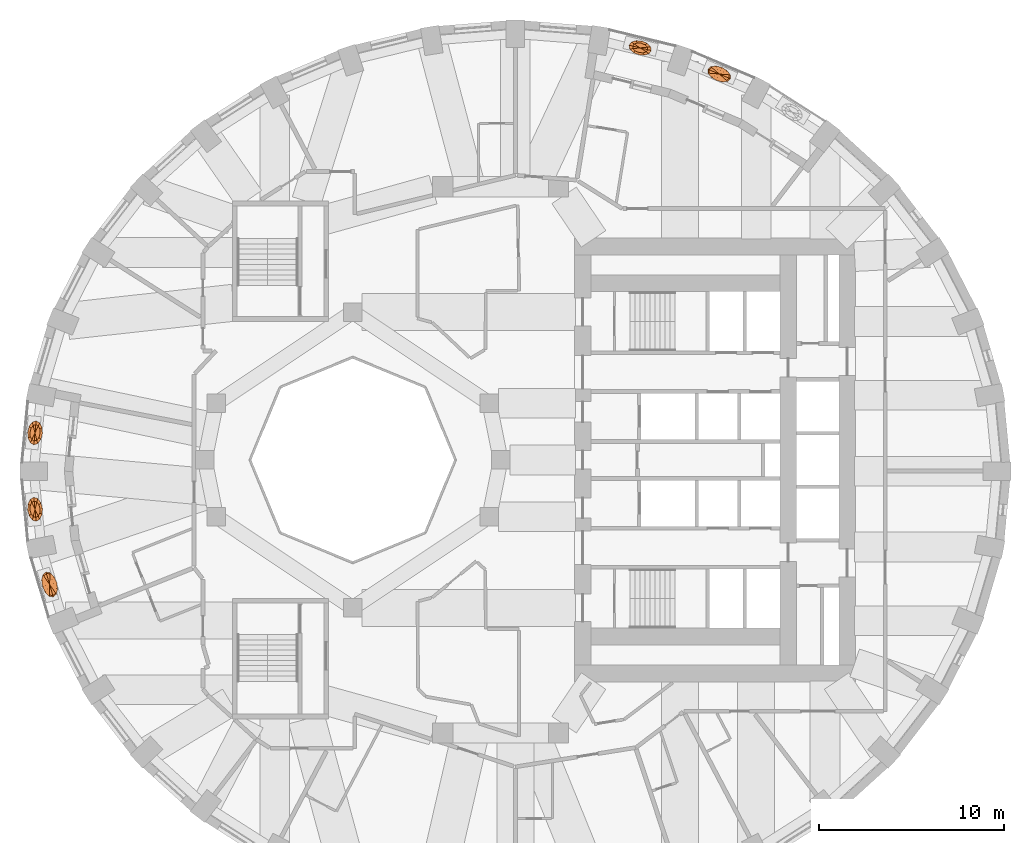
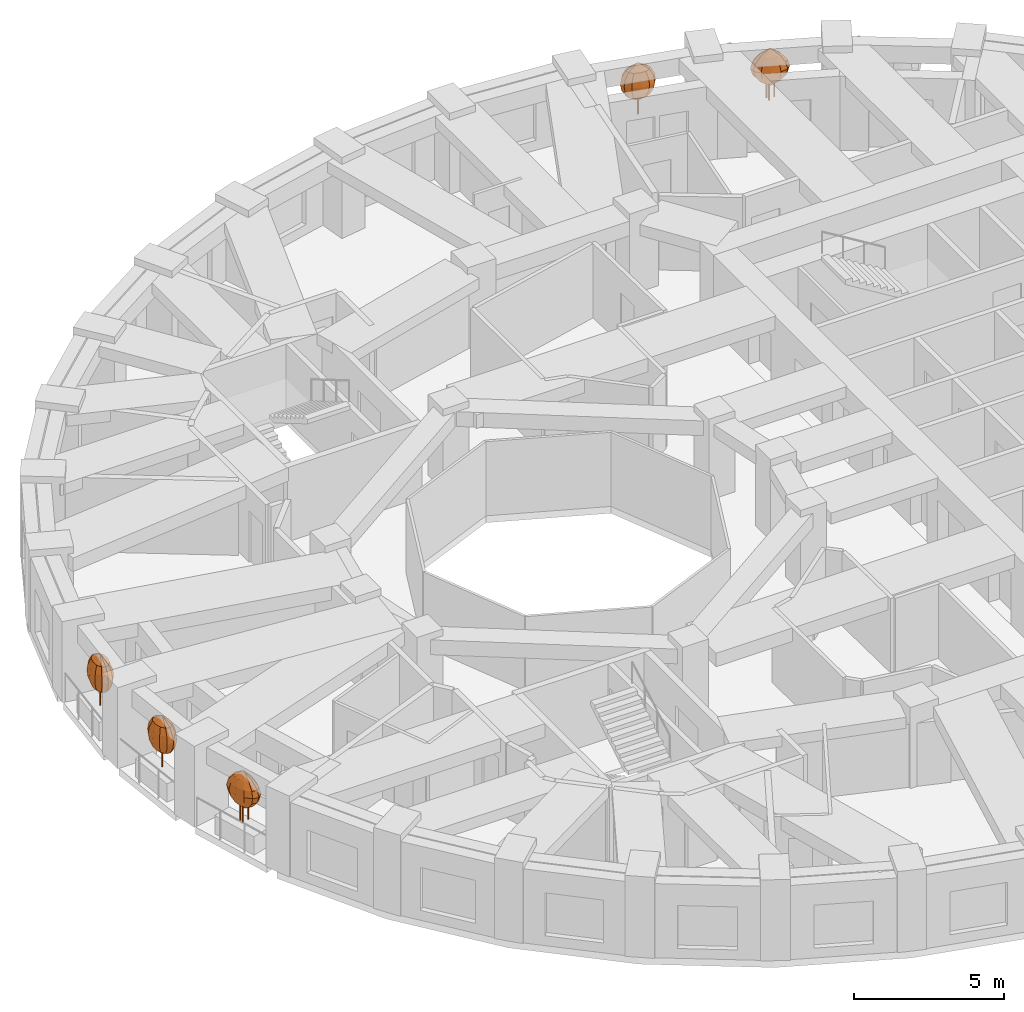
# One storey, part 11 of 12: 5 geographic elements.
"""IFC4 building model written with IfcOpenShell, lengths in metres."""

import ifcopenshell
import ifcopenshell.guid

model = None  # the IFC model being written
_history = None  # IfcOwnerHistory: only IFC2X3 demands one
_inside = {}  # id of a spatial element -> (the spatial element, [elements in it])
_under = {}  # id of a project, library or spatial element -> (it, [spatial elements below it])
_declared = {}  # id of a project -> (the project, [libraries it declares])
_typed = {}  # id of a type object -> (the type object, [elements of that type])
_made_of = {}  # id of a material, layer set ... -> (it, [elements and type objects made of it])


def new_model(schema):
    """Start an empty IFC model of exactly this schema.

    Asked for "IFC4X3", IfcOpenShell would pick the latest addendum, in which some entities
    have other attributes; the version numbers below select the first issue.
    IFC2X3 requires an IfcOwnerHistory on every rooted entity: one is made here for all.
    """
    global model, _history
    if schema == "IFC4X3":
        model = ifcopenshell.file(schema_version=(4, 3, 0, 0))
    else:
        model = ifcopenshell.file(schema=schema)
    _inside.clear()
    _under.clear()
    _declared.clear()
    _typed.clear()
    _made_of.clear()
    _history = None
    if model.schema == "IFC2X3":
        org = make("IfcOrganization", Name="unknown")
        user = make(
            "IfcPersonAndOrganization",
            ThePerson=make("IfcPerson", FamilyName="unknown"),
            TheOrganization=org,
        )
        app = make(
            "IfcApplication",
            ApplicationDeveloper=org,
            Version="unknown",
            ApplicationFullName="unknown",
            ApplicationIdentifier="unknown",
        )
        _history = make(
            "IfcOwnerHistory",
            OwningUser=user,
            OwningApplication=app,
            ChangeAction="ADDED",
            CreationDate=0,
        )
    return model


def make(cls, **values):
    """One entity of the class cls with the attributes given. An attribute that is None is left unset."""
    return model.create_entity(
        cls, **{name: value for name, value in values.items() if value is not None}
    )


def rooted(cls, **values):
    """An entity with a GlobalId (a new one), such as an element, a storey or a relation."""
    return make(cls, GlobalId=ifcopenshell.guid.new(), OwnerHistory=_history, **values)


def si_unit(unit_type, name, prefix=None):
    """IfcSIUnit, for example si_unit("LENGTHUNIT", "METRE", prefix="MILLI")."""
    return make("IfcSIUnit", UnitType=unit_type, Prefix=prefix, Name=name)


def assignment(units):
    """IfcUnitAssignment: the units of a project."""
    return None if units is None else make("IfcUnitAssignment", Units=units)


def point(xyz):
    """IfcCartesianPoint."""
    return None if xyz is None else make("IfcCartesianPoint", Coordinates=xyz)


def direction(xyz):
    """IfcDirection."""
    return None if xyz is None else make("IfcDirection", DirectionRatios=xyz)


def frame(location, z_axis=None, x_axis=None):
    """IfcAxis2Placement3D, a coordinate frame: its origin and axes. An axis left out is left unset."""
    return make(
        "IfcAxis2Placement3D",
        Location=point(location),
        Axis=direction(z_axis),
        RefDirection=direction(x_axis),
    )


def origin():
    """The frame at (0, 0, 0) with its axes left unset."""
    return frame((0.0, 0.0, 0.0))


def place(relative_to, where):
    """IfcLocalPlacement: puts the frame where relative to a parent placement (None: the world)."""
    return make(
        "IfcLocalPlacement", PlacementRelTo=relative_to, RelativePlacement=where
    )


def context(
    kind, dimensions, precision=None, world=None, true_north=None, identifier=None
):
    """IfcGeometricRepresentationContext, for example the 3D "Model" context."""
    return make(
        "IfcGeometricRepresentationContext",
        ContextIdentifier=identifier,
        ContextType=kind,
        CoordinateSpaceDimension=dimensions,
        Precision=precision,
        WorldCoordinateSystem=world,
        TrueNorth=true_north,
    )


def subcontext(parent, identifier, kind, view, scale=None):
    """IfcGeometricRepresentationSubContext, for example "Body" below "Model"."""
    return make(
        "IfcGeometricRepresentationSubContext",
        ContextIdentifier=identifier,
        ContextType=kind,
        ParentContext=parent,
        TargetScale=scale,
        TargetView=view,
    )


def project(units=None, contexts=None):
    """IfcProject with its units and contexts."""
    return rooted(
        "IfcProject",
        Name="project",
        RepresentationContexts=contexts,
        UnitsInContext=assignment(units),
    )


def spatial(cls, under=None, at=None, **own):
    """A site, building, storey or space (cls), placed at a placement, below another one or the project."""
    s = rooted(cls, ObjectPlacement=at, **own)
    if under is not None:
        _under.setdefault(under.id(), (under, []))[1].append(s)
    return s


def faces_of(points, faces, orient=None, outer=None):
    """IfcFace entities. A face is a list of loops; a loop is a list of indices into points, from 0.

    orient and outer hold one flag for each loop. By default every Orientation is true, the
    first loop of a face is its IfcFaceOuterBound and the others are IfcFaceBound.
    """
    made = []
    for i, loops in enumerate(faces):
        bounds = []
        for j, loop in enumerate(loops):
            is_outer = j == 0 if outer is None else outer[i][j]
            bounds.append(
                make(
                    "IfcFaceOuterBound" if is_outer else "IfcFaceBound",
                    Bound=make("IfcPolyLoop", Polygon=[points[k] for k in loop]),
                    Orientation=True if orient is None else orient[i][j],
                )
            )
        made.append(make("IfcFace", Bounds=bounds))
    return made


def faceted_brep(points, faces, orient=None, outer=None, voids=None):
    """IfcFacetedBrep: a solid bounded by flat faces; with voids (closed shells), ...WithVoids."""
    shared = [point(p) for p in points]
    hull = make("IfcClosedShell", CfsFaces=faces_of(shared, faces, orient, outer))
    if voids is None:
        return make("IfcFacetedBrep", Outer=hull)
    return make(
        "IfcFacetedBrepWithVoids",
        Outer=hull,
        Voids=[
            make(cls, CfsFaces=faces_of(shared, fs, o, b)) for cls, fs, o, b in voids
        ],
    )


def shape(context_of_items, identifier, shape_type, items):
    """IfcShapeRepresentation: the items that make up one representation, for example the "Body"."""
    return make(
        "IfcShapeRepresentation",
        ContextOfItems=context_of_items,
        RepresentationIdentifier=identifier,
        RepresentationType=shape_type,
        Items=items,
    )


def material(Name=None, Category=None):
    """IfcMaterial."""
    return make("IfcMaterial", Name=Name, Category=Category)


def constituent(of_material, Name=None, Category=None, fraction=None):
    """IfcMaterialConstituent: one of the materials an element consists of."""
    return make(
        "IfcMaterialConstituent",
        Name=Name,
        Material=of_material,
        Fraction=fraction,
        Category=Category,
    )


def constituent_set(constituents=None, Name=None):
    """IfcMaterialConstituentSet."""
    return make(
        "IfcMaterialConstituentSet", Name=Name, MaterialConstituents=constituents
    )


def made_of(thing, what):
    """Note that an element or type object is made of a material, layer set ...; save() writes the relation."""
    if what is not None:
        _made_of.setdefault(what.id(), (what, []))[1].append(thing)
    return thing


def type_object(cls, material=None, **own):
    """A type object (cls), such as IfcWallType, which elements share."""
    return made_of(rooted(cls, **own), material)


def element(
    cls,
    number,
    at=None,
    inside=None,
    cuts=None,
    type_object=None,
    material=None,
    context=None,
    identifier="Body",
    shape_type=None,
    held_by="IfcProductDefinitionShape",
    body=None,
    shapes=None,
    **own,
):
    """One element of the class cls, such as IfcWall. Its Tag is "e" and its number.

    at: its placement. inside: the storey or other place that contains it. cuts: it is an
    opening in that element (IfcRelVoidsElement). A single representation is given by context,
    identifier, shape_type and body (its items); several are given by shapes. held_by: the class
    of the entity that holds the representations. save() writes the other relations.
    """
    e = rooted(cls, Tag="e%d" % number, ObjectPlacement=at, **own)
    if body is not None:
        shapes = [shape(context, identifier, shape_type, body)]
    if shapes is not None:
        e.Representation = make(held_by, Representations=shapes)
    if inside is not None:
        _inside.setdefault(inside.id(), (inside, []))[1].append(e)
    if cuts is not None:
        rooted(
            "IfcRelVoidsElement", RelatingBuildingElement=cuts, RelatedOpeningElement=e
        )
    if type_object is not None:
        _typed.setdefault(type_object.id(), (type_object, []))[1].append(e)
    return made_of(e, material)


def aggregate(whole, parts):
    """IfcRelAggregates: a whole, such as a stair, and the parts it consists of."""
    return rooted("IfcRelAggregates", RelatingObject=whole, RelatedObjects=parts)


def save(model, path):
    """Write the relations noted so far, then the file.

    IfcRelAggregates (storeys below a building ...), IfcRelContainedInSpatialStructure (elements
    in a storey), IfcRelDefinesByType, IfcRelAssociatesMaterial and IfcRelDeclares: one each for
    every whole, place, type object, material and project.
    """
    for whole, parts in _under.values():
        aggregate(whole, parts)
    for where, things in _inside.values():
        rooted(
            "IfcRelContainedInSpatialStructure",
            RelatedElements=things,
            RelatingStructure=where,
        )
    for kind, things in _typed.values():
        rooted("IfcRelDefinesByType", RelatedObjects=things, RelatingType=kind)
    for what, things in _made_of.values():
        rooted("IfcRelAssociatesMaterial", RelatedObjects=things, RelatingMaterial=what)
    for by, libraries in _declared.values():
        rooted("IfcRelDeclares", RelatingContext=by, RelatedDefinitions=libraries)
    model.write(path)


model = new_model("IFC4")

# Units and contexts
model_context = context("Model", 3, precision=1e-05, world=origin(), true_north=direction((0.0, 1.0)))
body_context = subcontext(model_context, "Body", "Model", "MODEL_VIEW")
ifc_project = project(units=[si_unit("LENGTHUNIT", "METRE"), si_unit("AREAUNIT", "SQUARE_METRE"), si_unit("VOLUMEUNIT", "CUBIC_METRE"), si_unit("PLANEANGLEUNIT", "RADIAN"), si_unit("MASSUNIT", "GRAM", prefix="KILO")], contexts=[model_context])

# Site, building, storey
site_placement = place(None, origin())
site = spatial("IfcSite", under=ifc_project, at=site_placement, CompositionType="ELEMENT")
building_placement = place(site_placement, origin())
building = spatial("IfcBuilding", under=site, at=building_placement, Name="Taillehof Tower", CompositionType="ELEMENT")
storey_placement = place(building_placement, frame((0.0, 0.0, 105.39990234375)))
storey = spatial("IfcBuildingStorey", under=building, at=storey_placement, Name="L29", CompositionType="ELEMENT", Elevation=105.39990234375)

# Geographic elements
ifc_material_1 = material(Name="Tree bark", Category="timber")
ifc_constituent_1 = constituent(ifc_material_1, Name="Trunk", Category="timber")
ifc_material_2 = material(Name="Tree foliage")
ifc_constituent_2 = constituent(ifc_material_2, Name="Crown")
ifc_constituent_set_1 = constituent_set(constituents=[ifc_constituent_1, ifc_constituent_2], Name="Tree TR1 Columnar hornbeam")
geographic_element_type_1 = type_object("IfcGeographicElementType", Name="Tree TR1 Columnar hornbeam", PredefinedType="USERDEFINED", material=ifc_constituent_set_1)
geographic_element_1_placement = place(storey_placement, frame((7.5498046875, 22.290771484375, 0.75)))
element("IfcGeographicElement", 1, at=geographic_element_1_placement, inside=storey, type_object=geographic_element_type_1, Name="Tree TR1 Columnar hornbeam", ObjectType="TREE", PredefinedType="USERDEFINED", context=body_context, shape_type="Brep", body=[
    faceted_brep([(0.030029296875, 0.0, 0.0), (0.021240234375, 0.021240234375, 0.0), (0.021240234375, 0.021240234375, 1.092529296875), (0.030029296875, 0.0, 1.092529296875), (0.0, 0.030029296875, 0.0), (0.0, 0.030029296875, 1.092529296875), (-0.021240234375, 0.021240234375, 0.0), (-0.021240234375, 0.021240234375, 1.092529296875), (-0.030029296875, 0.0, 0.0), (-0.030029296875, 0.0, 1.092529296875), (-0.021240234375, -0.021240234375, 0.0), (-0.021240234375, -0.021240234375, 1.092529296875), (0.0, -0.030029296875, 0.0), (0.0, -0.030029296875, 1.092529296875), (0.021240234375, -0.021240234375, 0.0), (0.021240234375, -0.021240234375, 1.092529296875)], [[[0, 1, 2, 3]], [[1, 4, 5, 2]], [[4, 6, 7, 5]], [[6, 8, 9, 7]], [[8, 10, 11, 9]], [[10, 12, 13, 11]], [[12, 14, 15, 13]], [[14, 0, 3, 15]], [[14, 12, 10, 8, 6, 4, 1, 0]], [[3, 2, 5, 7, 9, 11, 13, 15]]]),
    faceted_brep([(0.0, 0.0, 0.550048828125), (-0.385498046875, -0.039794921875, 0.808349609375), (-0.409912109375, 0.099609375, 0.808349609375), (-0.258056640625, -0.16845703125, 0.808349609375), (-0.061279296875, -0.252197265625, 0.808349609375), (0.15185546875, -0.268310546875, 0.808349609375), (0.32421875, -0.21240234375, 0.808349609375), (0.409912109375, -0.099609375, 0.808349609375), (0.385498046875, 0.039794921875, 0.808349609375), (0.258056640625, 0.16845703125, 0.808349609375), (0.061279296875, 0.252197265625, 0.808349609375), (-0.15185546875, 0.268310546875, 0.808349609375), (-0.32421875, 0.21240234375, 0.808349609375), (-0.521484375, -0.0537109375, 1.066650390625), (-0.554443359375, 0.134765625, 1.066650390625), (-0.34912109375, -0.22802734375, 1.066650390625), (-0.0830078125, -0.341064453125, 1.066650390625), (0.205322265625, -0.36279296875, 1.066650390625), (0.4384765625, -0.287353515625, 1.066650390625), (0.554443359375, -0.134765625, 1.066650390625), (0.521484375, 0.0537109375, 1.066650390625), (0.34912109375, 0.22802734375, 1.066650390625), (0.0830078125, 0.341064453125, 1.066650390625), (-0.205322265625, 0.36279296875, 1.066650390625), (-0.4384765625, 0.287353515625, 1.066650390625), (-0.564453125, -0.05810546875, 1.324951171875), (-0.60009765625, 0.14599609375, 1.324951171875), (-0.377685546875, -0.246826171875, 1.324951171875), (-0.08984375, -0.369140625, 1.324951171875), (0.22216796875, -0.392822265625, 1.324951171875), (0.474609375, -0.31103515625, 1.324951171875), (0.60009765625, -0.14599609375, 1.324951171875), (0.564453125, 0.05810546875, 1.324951171875), (0.377685546875, 0.246826171875, 1.324951171875), (0.08984375, 0.369140625, 1.324951171875), (-0.22216796875, 0.392822265625, 1.324951171875), (-0.474609375, 0.31103515625, 1.324951171875), (-0.521484375, -0.0537109375, 1.583251953125), (-0.554443359375, 0.134765625, 1.583251953125), (-0.34912109375, -0.22802734375, 1.583251953125), (-0.0830078125, -0.341064453125, 1.583251953125), (0.205322265625, -0.36279296875, 1.583251953125), (0.4384765625, -0.287353515625, 1.583251953125), (0.554443359375, -0.134765625, 1.583251953125), (0.521484375, 0.0537109375, 1.583251953125), (0.34912109375, 0.22802734375, 1.583251953125), (0.0830078125, 0.341064453125, 1.583251953125), (-0.205322265625, 0.36279296875, 1.583251953125), (-0.4384765625, 0.287353515625, 1.583251953125), (-0.385498046875, -0.039794921875, 1.841552734375), (-0.409912109375, 0.099609375, 1.841552734375), (-0.258056640625, -0.16845703125, 1.841552734375), (-0.061279296875, -0.252197265625, 1.841552734375), (0.15185546875, -0.268310546875, 1.841552734375), (0.32421875, -0.21240234375, 1.841552734375), (0.409912109375, -0.099609375, 1.841552734375), (0.385498046875, 0.039794921875, 1.841552734375), (0.258056640625, 0.16845703125, 1.841552734375), (0.061279296875, 0.252197265625, 1.841552734375), (-0.15185546875, 0.268310546875, 1.841552734375), (-0.32421875, 0.21240234375, 1.841552734375), (0.0, 0.0, 2.10009765625)], [[[0, 1, 2]], [[0, 3, 1]], [[0, 4, 3]], [[0, 5, 4]], [[0, 6, 5]], [[0, 7, 6]], [[0, 8, 7]], [[0, 9, 8]], [[0, 10, 9]], [[0, 11, 10]], [[0, 12, 11]], [[0, 2, 12]], [[2, 1, 13, 14]], [[1, 3, 15, 13]], [[3, 4, 16, 15]], [[4, 5, 17, 16]], [[5, 6, 18, 17]], [[6, 7, 19, 18]], [[7, 8, 20, 19]], [[8, 9, 21, 20]], [[9, 10, 22, 21]], [[10, 11, 23, 22]], [[11, 12, 24, 23]], [[12, 2, 14, 24]], [[14, 13, 25, 26]], [[13, 15, 27, 25]], [[15, 16, 28, 27]], [[16, 17, 29, 28]], [[17, 18, 30, 29]], [[18, 19, 31, 30]], [[19, 20, 32, 31]], [[20, 21, 33, 32]], [[21, 22, 34, 33]], [[22, 23, 35, 34]], [[23, 24, 36, 35]], [[24, 14, 26, 36]], [[26, 25, 37, 38]], [[25, 27, 39, 37]], [[27, 28, 40, 39]], [[28, 29, 41, 40]], [[29, 30, 42, 41]], [[30, 31, 43, 42]], [[31, 32, 44, 43]], [[32, 33, 45, 44]], [[33, 34, 46, 45]], [[34, 35, 47, 46]], [[35, 36, 48, 47]], [[36, 26, 38, 48]], [[38, 37, 49, 50]], [[37, 39, 51, 49]], [[39, 40, 52, 51]], [[40, 41, 53, 52]], [[41, 42, 54, 53]], [[42, 43, 55, 54]], [[43, 44, 56, 55]], [[44, 45, 57, 56]], [[45, 46, 58, 57]], [[46, 47, 59, 58]], [[47, 48, 60, 59]], [[48, 38, 50, 60]], [[50, 49, 61]], [[49, 51, 61]], [[51, 52, 61]], [[52, 53, 61]], [[53, 54, 61]], [[54, 55, 61]], [[55, 56, 61]], [[56, 57, 61]], [[57, 58, 61]], [[58, 59, 61]], [[59, 60, 61]], [[60, 50, 61]]]),
])
geographic_element_2_placement = place(storey_placement, frame((-25.18798828125, 1.46630859375, 0.75)))
element("IfcGeographicElement", 2, at=geographic_element_2_placement, inside=storey, type_object=geographic_element_type_1, Name="Tree TR1 Columnar hornbeam", ObjectType="TREE", PredefinedType="USERDEFINED", context=body_context, shape_type="Brep", body=[
    faceted_brep([(0.030029296875, 0.0, 0.0), (0.021240234375, 0.021240234375, 0.0), (0.021240234375, 0.021240234375, 1.092529296875), (0.030029296875, 0.0, 1.092529296875), (0.0, 0.030029296875, 0.0), (0.0, 0.030029296875, 1.092529296875), (-0.021240234375, 0.021240234375, 0.0), (-0.021240234375, 0.021240234375, 1.092529296875), (-0.030029296875, 0.0, 0.0), (-0.030029296875, 0.0, 1.092529296875), (-0.021240234375, -0.021240234375, 0.0), (-0.021240234375, -0.021240234375, 1.092529296875), (0.0, -0.030029296875, 0.0), (0.0, -0.030029296875, 1.092529296875), (0.021240234375, -0.021240234375, 0.0), (0.021240234375, -0.021240234375, 1.092529296875)], [[[0, 1, 2, 3]], [[1, 4, 5, 2]], [[4, 6, 7, 5]], [[6, 8, 9, 7]], [[8, 10, 11, 9]], [[10, 12, 13, 11]], [[12, 14, 15, 13]], [[14, 0, 3, 15]], [[14, 12, 10, 8, 6, 4, 1, 0]], [[3, 2, 5, 7, 9, 11, 13, 15]]]),
    faceted_brep([(0.0, 0.0, 0.550048828125), (0.09912109375, -0.395751953125, 0.808349609375), (-0.04248046875, -0.44189453125, 0.808349609375), (0.214111328125, -0.24365234375, 0.808349609375), (0.27197265625, -0.026123046875, 0.808349609375), (0.2568359375, 0.1982421875, 0.808349609375), (0.1728515625, 0.36962890625, 0.808349609375), (0.04248046875, 0.44189453125, 0.808349609375), (-0.09912109375, 0.395751953125, 0.808349609375), (-0.214111328125, 0.24365234375, 0.808349609375), (-0.27197265625, 0.026123046875, 0.808349609375), (-0.2568359375, -0.1982421875, 0.808349609375), (-0.1728515625, -0.36962890625, 0.808349609375), (0.134033203125, -0.535400390625, 1.066650390625), (-0.0576171875, -0.597900390625, 1.066650390625), (0.289794921875, -0.32958984375, 1.066650390625), (0.367919921875, -0.035400390625, 1.066650390625), (0.347412109375, 0.268310546875, 1.066650390625), (0.23388671875, 0.5, 1.066650390625), (0.0576171875, 0.597900390625, 1.066650390625), (-0.134033203125, 0.535400390625, 1.066650390625), (-0.289794921875, 0.32958984375, 1.066650390625), (-0.367919921875, 0.035400390625, 1.066650390625), (-0.347412109375, -0.268310546875, 1.066650390625), (-0.23388671875, -0.5, 1.066650390625), (0.14501953125, -0.57958984375, 1.324951171875), (-0.062255859375, -0.64697265625, 1.324951171875), (0.313720703125, -0.356689453125, 1.324951171875), (0.398193359375, -0.038330078125, 1.324951171875), (0.3759765625, 0.290283203125, 1.324951171875), (0.253173828125, 0.541259765625, 1.324951171875), (0.062255859375, 0.64697265625, 1.324951171875), (-0.14501953125, 0.57958984375, 1.324951171875), (-0.313720703125, 0.356689453125, 1.324951171875), (-0.398193359375, 0.038330078125, 1.324951171875), (-0.3759765625, -0.290283203125, 1.324951171875), (-0.253173828125, -0.541259765625, 1.324951171875), (0.134033203125, -0.535400390625, 1.583251953125), (-0.0576171875, -0.597900390625, 1.583251953125), (0.289794921875, -0.32958984375, 1.583251953125), (0.367919921875, -0.035400390625, 1.583251953125), (0.347412109375, 0.268310546875, 1.583251953125), (0.23388671875, 0.5, 1.583251953125), (0.0576171875, 0.597900390625, 1.583251953125), (-0.134033203125, 0.535400390625, 1.583251953125), (-0.289794921875, 0.32958984375, 1.583251953125), (-0.367919921875, 0.035400390625, 1.583251953125), (-0.347412109375, -0.268310546875, 1.583251953125), (-0.23388671875, -0.5, 1.583251953125), (0.09912109375, -0.395751953125, 1.841552734375), (-0.04248046875, -0.44189453125, 1.841552734375), (0.214111328125, -0.24365234375, 1.841552734375), (0.27197265625, -0.026123046875, 1.841552734375), (0.2568359375, 0.1982421875, 1.841552734375), (0.1728515625, 0.36962890625, 1.841552734375), (0.04248046875, 0.44189453125, 1.841552734375), (-0.09912109375, 0.395751953125, 1.841552734375), (-0.214111328125, 0.24365234375, 1.841552734375), (-0.27197265625, 0.026123046875, 1.841552734375), (-0.2568359375, -0.1982421875, 1.841552734375), (-0.1728515625, -0.36962890625, 1.841552734375), (0.0, 0.0, 2.10009765625)], [[[0, 1, 2]], [[0, 3, 1]], [[0, 4, 3]], [[0, 5, 4]], [[0, 6, 5]], [[0, 7, 6]], [[0, 8, 7]], [[0, 9, 8]], [[0, 10, 9]], [[0, 11, 10]], [[0, 12, 11]], [[0, 2, 12]], [[2, 1, 13, 14]], [[1, 3, 15, 13]], [[3, 4, 16, 15]], [[4, 5, 17, 16]], [[5, 6, 18, 17]], [[6, 7, 19, 18]], [[7, 8, 20, 19]], [[8, 9, 21, 20]], [[9, 10, 22, 21]], [[10, 11, 23, 22]], [[11, 12, 24, 23]], [[12, 2, 14, 24]], [[14, 13, 25, 26]], [[13, 15, 27, 25]], [[15, 16, 28, 27]], [[16, 17, 29, 28]], [[17, 18, 30, 29]], [[18, 19, 31, 30]], [[19, 20, 32, 31]], [[20, 21, 33, 32]], [[21, 22, 34, 33]], [[22, 23, 35, 34]], [[23, 24, 36, 35]], [[24, 14, 26, 36]], [[26, 25, 37, 38]], [[25, 27, 39, 37]], [[27, 28, 40, 39]], [[28, 29, 41, 40]], [[29, 30, 42, 41]], [[30, 31, 43, 42]], [[31, 32, 44, 43]], [[32, 33, 45, 44]], [[33, 34, 46, 45]], [[34, 35, 47, 46]], [[35, 36, 48, 47]], [[36, 26, 38, 48]], [[38, 37, 49, 50]], [[37, 39, 51, 49]], [[39, 40, 52, 51]], [[40, 41, 53, 52]], [[41, 42, 54, 53]], [[42, 43, 55, 54]], [[43, 44, 56, 55]], [[44, 45, 57, 56]], [[45, 46, 58, 57]], [[46, 47, 59, 58]], [[47, 48, 60, 59]], [[48, 38, 50, 60]], [[50, 49, 61]], [[49, 51, 61]], [[51, 52, 61]], [[52, 53, 61]], [[53, 54, 61]], [[54, 55, 61]], [[55, 56, 61]], [[56, 57, 61]], [[57, 58, 61]], [[58, 59, 61]], [[59, 60, 61]], [[60, 50, 61]]]),
])
geographic_element_3_placement = place(storey_placement, frame((-25.18798828125, -2.666259765625, 0.75)))
element("IfcGeographicElement", 3, at=geographic_element_3_placement, inside=storey, type_object=geographic_element_type_1, Name="Tree TR1 Columnar hornbeam", ObjectType="TREE", PredefinedType="USERDEFINED", context=body_context, shape_type="Brep", body=[
    faceted_brep([(0.030029296875, 0.0, 0.0), (0.021240234375, 0.021240234375, 0.0), (0.021240234375, 0.021240234375, 1.092529296875), (0.030029296875, 0.0, 1.092529296875), (0.0, 0.030029296875, 0.0), (0.0, 0.030029296875, 1.092529296875), (-0.021240234375, 0.021240234375, 0.0), (-0.021240234375, 0.021240234375, 1.092529296875), (-0.030029296875, 0.0, 0.0), (-0.030029296875, 0.0, 1.092529296875), (-0.021240234375, -0.021240234375, 0.0), (-0.021240234375, -0.021240234375, 1.092529296875), (0.0, -0.030029296875, 0.0), (0.0, -0.030029296875, 1.092529296875), (0.021240234375, -0.021240234375, 0.0), (0.021240234375, -0.021240234375, 1.092529296875)], [[[0, 1, 2, 3]], [[1, 4, 5, 2]], [[4, 6, 7, 5]], [[6, 8, 9, 7]], [[8, 10, 11, 9]], [[10, 12, 13, 11]], [[12, 14, 15, 13]], [[14, 0, 3, 15]], [[14, 12, 10, 8, 6, 4, 1, 0]], [[3, 2, 5, 7, 9, 11, 13, 15]]]),
    faceted_brep([(0.0, 0.0, 0.550048828125), (0.1728515625, -0.36962890625, 0.808349609375), (0.04248046875, -0.44189453125, 0.808349609375), (0.2568359375, -0.1982421875, 0.808349609375), (0.27197265625, 0.026123046875, 0.808349609375), (0.214111328125, 0.24365234375, 0.808349609375), (0.09912109375, 0.395751953125, 0.808349609375), (-0.04248046875, 0.44189453125, 0.808349609375), (-0.1728515625, 0.36962890625, 0.808349609375), (-0.2568359375, 0.1982421875, 0.808349609375), (-0.27197265625, -0.026123046875, 0.808349609375), (-0.214111328125, -0.24365234375, 0.808349609375), (-0.09912109375, -0.395751953125, 0.808349609375), (0.23388671875, -0.5, 1.066650390625), (0.0576171875, -0.597900390625, 1.066650390625), (0.347412109375, -0.268310546875, 1.066650390625), (0.367919921875, 0.035400390625, 1.066650390625), (0.289794921875, 0.32958984375, 1.066650390625), (0.134033203125, 0.535400390625, 1.066650390625), (-0.0576171875, 0.597900390625, 1.066650390625), (-0.23388671875, 0.5, 1.066650390625), (-0.347412109375, 0.268310546875, 1.066650390625), (-0.367919921875, -0.035400390625, 1.066650390625), (-0.289794921875, -0.32958984375, 1.066650390625), (-0.134033203125, -0.535400390625, 1.066650390625), (0.253173828125, -0.541259765625, 1.324951171875), (0.062255859375, -0.64697265625, 1.324951171875), (0.3759765625, -0.290283203125, 1.324951171875), (0.398193359375, 0.038330078125, 1.324951171875), (0.313720703125, 0.356689453125, 1.324951171875), (0.14501953125, 0.57958984375, 1.324951171875), (-0.062255859375, 0.64697265625, 1.324951171875), (-0.253173828125, 0.541259765625, 1.324951171875), (-0.3759765625, 0.290283203125, 1.324951171875), (-0.398193359375, -0.038330078125, 1.324951171875), (-0.313720703125, -0.356689453125, 1.324951171875), (-0.14501953125, -0.57958984375, 1.324951171875), (0.23388671875, -0.5, 1.583251953125), (0.0576171875, -0.597900390625, 1.583251953125), (0.347412109375, -0.268310546875, 1.583251953125), (0.367919921875, 0.035400390625, 1.583251953125), (0.289794921875, 0.32958984375, 1.583251953125), (0.134033203125, 0.535400390625, 1.583251953125), (-0.0576171875, 0.597900390625, 1.583251953125), (-0.23388671875, 0.5, 1.583251953125), (-0.347412109375, 0.268310546875, 1.583251953125), (-0.367919921875, -0.035400390625, 1.583251953125), (-0.289794921875, -0.32958984375, 1.583251953125), (-0.134033203125, -0.535400390625, 1.583251953125), (0.1728515625, -0.36962890625, 1.841552734375), (0.04248046875, -0.44189453125, 1.841552734375), (0.2568359375, -0.1982421875, 1.841552734375), (0.27197265625, 0.026123046875, 1.841552734375), (0.214111328125, 0.24365234375, 1.841552734375), (0.09912109375, 0.395751953125, 1.841552734375), (-0.04248046875, 0.44189453125, 1.841552734375), (-0.1728515625, 0.36962890625, 1.841552734375), (-0.2568359375, 0.1982421875, 1.841552734375), (-0.27197265625, -0.026123046875, 1.841552734375), (-0.214111328125, -0.24365234375, 1.841552734375), (-0.09912109375, -0.395751953125, 1.841552734375), (0.0, 0.0, 2.10009765625)], [[[0, 1, 2]], [[0, 3, 1]], [[0, 4, 3]], [[0, 5, 4]], [[0, 6, 5]], [[0, 7, 6]], [[0, 8, 7]], [[0, 9, 8]], [[0, 10, 9]], [[0, 11, 10]], [[0, 12, 11]], [[0, 2, 12]], [[2, 1, 13, 14]], [[1, 3, 15, 13]], [[3, 4, 16, 15]], [[4, 5, 17, 16]], [[5, 6, 18, 17]], [[6, 7, 19, 18]], [[7, 8, 20, 19]], [[8, 9, 21, 20]], [[9, 10, 22, 21]], [[10, 11, 23, 22]], [[11, 12, 24, 23]], [[12, 2, 14, 24]], [[14, 13, 25, 26]], [[13, 15, 27, 25]], [[15, 16, 28, 27]], [[16, 17, 29, 28]], [[17, 18, 30, 29]], [[18, 19, 31, 30]], [[19, 20, 32, 31]], [[20, 21, 33, 32]], [[21, 22, 34, 33]], [[22, 23, 35, 34]], [[23, 24, 36, 35]], [[24, 14, 26, 36]], [[26, 25, 37, 38]], [[25, 27, 39, 37]], [[27, 28, 40, 39]], [[28, 29, 41, 40]], [[29, 30, 42, 41]], [[30, 31, 43, 42]], [[31, 32, 44, 43]], [[32, 33, 45, 44]], [[33, 34, 46, 45]], [[34, 35, 47, 46]], [[35, 36, 48, 47]], [[36, 26, 38, 48]], [[38, 37, 49, 50]], [[37, 39, 51, 49]], [[39, 40, 52, 51]], [[40, 41, 53, 52]], [[41, 42, 54, 53]], [[42, 43, 55, 54]], [[43, 44, 56, 55]], [[44, 45, 57, 56]], [[45, 46, 58, 57]], [[46, 47, 59, 58]], [[47, 48, 60, 59]], [[48, 38, 50, 60]], [[50, 49, 61]], [[49, 51, 61]], [[51, 52, 61]], [[52, 53, 61]], [[53, 54, 61]], [[54, 55, 61]], [[55, 56, 61]], [[56, 57, 61]], [[57, 58, 61]], [[58, 59, 61]], [[59, 60, 61]], [[60, 50, 61]]]),
])
ifc_material_3 = material(Name="Tree bark", Category="timber")
ifc_constituent_3 = constituent(ifc_material_3, Name="Trunk", Category="timber")
ifc_material_4 = material(Name="Tree foliage")
ifc_constituent_4 = constituent(ifc_material_4, Name="Crown")
ifc_constituent_set_2 = constituent_set(constituents=[ifc_constituent_3, ifc_constituent_4], Name="Tree TR3 Multi-stem serviceberry")
geographic_element_type_2 = type_object("IfcGeographicElementType", Name="Tree TR3 Multi-stem serviceberry", PredefinedType="USERDEFINED", material=ifc_constituent_set_2)
geographic_element_4_placement = place(storey_placement, frame((11.82177734375, 20.87890625, 0.75)))
element("IfcGeographicElement", 4, at=geographic_element_4_placement, inside=storey, type_object=geographic_element_type_2, Name="Tree TR3 Multi-stem serviceberry", ObjectType="TREE", PredefinedType="USERDEFINED", context=body_context, shape_type="Brep", body=[
    faceted_brep([(0.195068359375, 0.0, 0.0), (0.186767578125, 0.0205078125, 0.0), (0.186767578125, 0.0205078125, 1.04248046875), (0.195068359375, 0.0, 1.04248046875), (0.166259765625, 0.02880859375, 0.0), (0.166259765625, 0.02880859375, 1.04248046875), (0.145751953125, 0.0205078125, 0.0), (0.145751953125, 0.0205078125, 1.04248046875), (0.137451171875, 0.0, 0.0), (0.137451171875, 0.0, 1.04248046875), (0.145751953125, -0.0205078125, 0.0), (0.145751953125, -0.0205078125, 1.04248046875), (0.166259765625, -0.02880859375, 0.0), (0.166259765625, -0.02880859375, 1.04248046875), (0.186767578125, -0.0205078125, 0.0), (0.186767578125, -0.0205078125, 1.04248046875)], [[[0, 1, 2, 3]], [[1, 4, 5, 2]], [[4, 6, 7, 5]], [[6, 8, 9, 7]], [[8, 10, 11, 9]], [[10, 12, 13, 11]], [[12, 14, 15, 13]], [[14, 0, 3, 15]], [[14, 12, 10, 8, 6, 4, 1, 0]], [[3, 2, 5, 7, 9, 11, 13, 15]]]),
    faceted_brep([(-0.05419921875, 0.082275390625, 0.0), (-0.062744140625, 0.102783203125, 0.0), (-0.062744140625, 0.102783203125, 1.04248046875), (-0.05419921875, 0.082275390625, 1.04248046875), (-0.0830078125, 0.111083984375, 0.0), (-0.0830078125, 0.111083984375, 1.04248046875), (-0.103515625, 0.102783203125, 0.0), (-0.103515625, 0.102783203125, 1.04248046875), (-0.112060546875, 0.082275390625, 0.0), (-0.112060546875, 0.082275390625, 1.04248046875), (-0.103515625, 0.061767578125, 0.0), (-0.103515625, 0.061767578125, 1.04248046875), (-0.0830078125, 0.053466796875, 0.0), (-0.0830078125, 0.053466796875, 1.04248046875), (-0.062744140625, 0.061767578125, 0.0), (-0.062744140625, 0.061767578125, 1.04248046875)], [[[0, 1, 2, 3]], [[1, 4, 5, 2]], [[4, 6, 7, 5]], [[6, 8, 9, 7]], [[8, 10, 11, 9]], [[10, 12, 13, 11]], [[12, 14, 15, 13]], [[14, 0, 3, 15]], [[14, 12, 10, 8, 6, 4, 1, 0]], [[3, 2, 5, 7, 9, 11, 13, 15]]]),
    faceted_brep([(-0.05419921875, -0.082275390625, 0.0), (-0.062744140625, -0.061767578125, 0.0), (-0.062744140625, -0.061767578125, 1.04248046875), (-0.05419921875, -0.082275390625, 1.04248046875), (-0.0830078125, -0.053466796875, 0.0), (-0.0830078125, -0.053466796875, 1.04248046875), (-0.103515625, -0.061767578125, 0.0), (-0.103515625, -0.061767578125, 1.04248046875), (-0.112060546875, -0.082275390625, 0.0), (-0.112060546875, -0.082275390625, 1.04248046875), (-0.103515625, -0.102783203125, 0.0), (-0.103515625, -0.102783203125, 1.04248046875), (-0.0830078125, -0.111083984375, 0.0), (-0.0830078125, -0.111083984375, 1.04248046875), (-0.062744140625, -0.102783203125, 0.0), (-0.062744140625, -0.102783203125, 1.04248046875)], [[[0, 1, 2, 3]], [[1, 4, 5, 2]], [[4, 6, 7, 5]], [[6, 8, 9, 7]], [[8, 10, 11, 9]], [[10, 12, 13, 11]], [[12, 14, 15, 13]], [[14, 0, 3, 15]], [[14, 12, 10, 8, 6, 4, 1, 0]], [[3, 2, 5, 7, 9, 11, 13, 15]]]),
    faceted_brep([(0.0, 0.0, 0.5), (-0.34716796875, 0.028564453125, 0.75830078125), (-0.351806640625, 0.14892578125, 0.75830078125), (-0.24951171875, -0.099609375, 0.75830078125), (-0.085205078125, -0.200927734375, 0.75830078125), (0.10205078125, -0.24853515625, 0.75830078125), (0.261962890625, -0.2294921875, 0.75830078125), (0.351806640625, -0.14892578125, 0.75830078125), (0.34716796875, -0.028564453125, 0.75830078125), (0.24951171875, 0.099609375, 0.75830078125), (0.085205078125, 0.200927734375, 0.75830078125), (-0.10205078125, 0.24853515625, 0.75830078125), (-0.261962890625, 0.2294921875, 0.75830078125), (-0.538818359375, 0.044189453125, 1.0166015625), (-0.5458984375, 0.231201171875, 1.0166015625), (-0.38720703125, -0.154541015625, 1.0166015625), (-0.132080078125, -0.31201171875, 1.0166015625), (0.158447265625, -0.3857421875, 1.0166015625), (0.40673828125, -0.356201171875, 1.0166015625), (0.5458984375, -0.231201171875, 1.0166015625), (0.538818359375, -0.044189453125, 1.0166015625), (0.38720703125, 0.154541015625, 1.0166015625), (0.132080078125, 0.31201171875, 1.0166015625), (-0.158447265625, 0.3857421875, 1.0166015625), (-0.40673828125, 0.356201171875, 1.0166015625), (-0.6044921875, 0.049560546875, 1.27490234375), (-0.6123046875, 0.25927734375, 1.27490234375), (-0.4345703125, -0.17333984375, 1.27490234375), (-0.148193359375, -0.349853515625, 1.27490234375), (0.177978515625, -0.4326171875, 1.27490234375), (0.456298828125, -0.3994140625, 1.27490234375), (0.6123046875, -0.25927734375, 1.27490234375), (0.6044921875, -0.049560546875, 1.27490234375), (0.4345703125, 0.17333984375, 1.27490234375), (0.148193359375, 0.349853515625, 1.27490234375), (-0.177978515625, 0.4326171875, 1.27490234375), (-0.456298828125, 0.3994140625, 1.27490234375), (-0.538818359375, 0.044189453125, 1.533447265625), (-0.5458984375, 0.231201171875, 1.533447265625), (-0.38720703125, -0.154541015625, 1.533447265625), (-0.132080078125, -0.31201171875, 1.533447265625), (0.158447265625, -0.3857421875, 1.533447265625), (0.40673828125, -0.356201171875, 1.533447265625), (0.5458984375, -0.231201171875, 1.533447265625), (0.538818359375, -0.044189453125, 1.533447265625), (0.38720703125, 0.154541015625, 1.533447265625), (0.132080078125, 0.31201171875, 1.533447265625), (-0.158447265625, 0.3857421875, 1.533447265625), (-0.40673828125, 0.356201171875, 1.533447265625), (-0.34716796875, 0.028564453125, 1.791748046875), (-0.351806640625, 0.14892578125, 1.791748046875), (-0.24951171875, -0.099609375, 1.791748046875), (-0.085205078125, -0.200927734375, 1.791748046875), (0.10205078125, -0.24853515625, 1.791748046875), (0.261962890625, -0.2294921875, 1.791748046875), (0.351806640625, -0.14892578125, 1.791748046875), (0.34716796875, -0.028564453125, 1.791748046875), (0.24951171875, 0.099609375, 1.791748046875), (0.085205078125, 0.200927734375, 1.791748046875), (-0.10205078125, 0.24853515625, 1.791748046875), (-0.261962890625, 0.2294921875, 1.791748046875), (0.0, 0.0, 2.050048828125)], [[[0, 1, 2]], [[0, 3, 1]], [[0, 4, 3]], [[0, 5, 4]], [[0, 6, 5]], [[0, 7, 6]], [[0, 8, 7]], [[0, 9, 8]], [[0, 10, 9]], [[0, 11, 10]], [[0, 12, 11]], [[0, 2, 12]], [[2, 1, 13, 14]], [[1, 3, 15, 13]], [[3, 4, 16, 15]], [[4, 5, 17, 16]], [[5, 6, 18, 17]], [[6, 7, 19, 18]], [[7, 8, 20, 19]], [[8, 9, 21, 20]], [[9, 10, 22, 21]], [[10, 11, 23, 22]], [[11, 12, 24, 23]], [[12, 2, 14, 24]], [[14, 13, 25, 26]], [[13, 15, 27, 25]], [[15, 16, 28, 27]], [[16, 17, 29, 28]], [[17, 18, 30, 29]], [[18, 19, 31, 30]], [[19, 20, 32, 31]], [[20, 21, 33, 32]], [[21, 22, 34, 33]], [[22, 23, 35, 34]], [[23, 24, 36, 35]], [[24, 14, 26, 36]], [[26, 25, 37, 38]], [[25, 27, 39, 37]], [[27, 28, 40, 39]], [[28, 29, 41, 40]], [[29, 30, 42, 41]], [[30, 31, 43, 42]], [[31, 32, 44, 43]], [[32, 33, 45, 44]], [[33, 34, 46, 45]], [[34, 35, 47, 46]], [[35, 36, 48, 47]], [[36, 26, 38, 48]], [[38, 37, 49, 50]], [[37, 39, 51, 49]], [[39, 40, 52, 51]], [[40, 41, 53, 52]], [[41, 42, 54, 53]], [[42, 43, 55, 54]], [[43, 44, 56, 55]], [[44, 45, 57, 56]], [[45, 46, 58, 57]], [[46, 47, 59, 58]], [[47, 48, 60, 59]], [[48, 38, 50, 60]], [[50, 49, 61]], [[49, 51, 61]], [[51, 52, 61]], [[52, 53, 61]], [[53, 54, 61]], [[54, 55, 61]], [[55, 56, 61]], [[56, 57, 61]], [[57, 58, 61]], [[58, 59, 61]], [[59, 60, 61]], [[60, 50, 61]]]),
])
geographic_element_5_placement = place(storey_placement, frame((-24.39794921875, -6.73583984375, 0.75)))
element("IfcGeographicElement", 5, at=geographic_element_5_placement, inside=storey, type_object=geographic_element_type_2, Name="Tree TR3 Multi-stem serviceberry", ObjectType="TREE", PredefinedType="USERDEFINED", context=body_context, shape_type="Brep", body=[
    faceted_brep([(0.203857421875, 0.0, 0.0), (0.1953125, 0.0205078125, 0.0), (0.1953125, 0.0205078125, 1.04248046875), (0.203857421875, 0.0, 1.04248046875), (0.175048828125, 0.02880859375, 0.0), (0.175048828125, 0.02880859375, 1.04248046875), (0.154541015625, 0.0205078125, 0.0), (0.154541015625, 0.0205078125, 1.04248046875), (0.146240234375, 0.0, 0.0), (0.146240234375, 0.0, 1.04248046875), (0.154541015625, -0.0205078125, 0.0), (0.154541015625, -0.0205078125, 1.04248046875), (0.175048828125, -0.02880859375, 0.0), (0.175048828125, -0.02880859375, 1.04248046875), (0.1953125, -0.0205078125, 0.0), (0.1953125, -0.0205078125, 1.04248046875)], [[[0, 1, 2, 3]], [[1, 4, 5, 2]], [[4, 6, 7, 5]], [[6, 8, 9, 7]], [[8, 10, 11, 9]], [[10, 12, 13, 11]], [[12, 14, 15, 13]], [[14, 0, 3, 15]], [[14, 12, 10, 8, 6, 4, 1, 0]], [[3, 2, 5, 7, 9, 11, 13, 15]]]),
    faceted_brep([(-0.05859375, 0.086669921875, 0.0), (-0.067138671875, 0.10693359375, 0.0), (-0.067138671875, 0.10693359375, 1.04248046875), (-0.05859375, 0.086669921875, 1.04248046875), (-0.08740234375, 0.115478515625, 0.0), (-0.08740234375, 0.115478515625, 1.04248046875), (-0.10791015625, 0.10693359375, 0.0), (-0.10791015625, 0.10693359375, 1.04248046875), (-0.116455078125, 0.086669921875, 0.0), (-0.116455078125, 0.086669921875, 1.04248046875), (-0.10791015625, 0.066162109375, 0.0), (-0.10791015625, 0.066162109375, 1.04248046875), (-0.08740234375, 0.0576171875, 0.0), (-0.08740234375, 0.0576171875, 1.04248046875), (-0.067138671875, 0.066162109375, 0.0), (-0.067138671875, 0.066162109375, 1.04248046875)], [[[0, 1, 2, 3]], [[1, 4, 5, 2]], [[4, 6, 7, 5]], [[6, 8, 9, 7]], [[8, 10, 11, 9]], [[10, 12, 13, 11]], [[12, 14, 15, 13]], [[14, 0, 3, 15]], [[14, 12, 10, 8, 6, 4, 1, 0]], [[3, 2, 5, 7, 9, 11, 13, 15]]]),
    faceted_brep([(-0.05859375, -0.086669921875, 0.0), (-0.067138671875, -0.066162109375, 0.0), (-0.067138671875, -0.066162109375, 1.04248046875), (-0.05859375, -0.086669921875, 1.04248046875), (-0.08740234375, -0.0576171875, 0.0), (-0.08740234375, -0.0576171875, 1.04248046875), (-0.10791015625, -0.066162109375, 0.0), (-0.10791015625, -0.066162109375, 1.04248046875), (-0.116455078125, -0.086669921875, 0.0), (-0.116455078125, -0.086669921875, 1.04248046875), (-0.10791015625, -0.10693359375, 0.0), (-0.10791015625, -0.10693359375, 1.04248046875), (-0.08740234375, -0.115478515625, 0.0), (-0.08740234375, -0.115478515625, 1.04248046875), (-0.067138671875, -0.10693359375, 0.0), (-0.067138671875, -0.10693359375, 1.04248046875)], [[[0, 1, 2, 3]], [[1, 4, 5, 2]], [[4, 6, 7, 5]], [[6, 8, 9, 7]], [[8, 10, 11, 9]], [[10, 12, 13, 11]], [[12, 14, 15, 13]], [[14, 0, 3, 15]], [[14, 12, 10, 8, 6, 4, 1, 0]], [[3, 2, 5, 7, 9, 11, 13, 15]]]),
    faceted_brep([(0.0, 0.0, 0.5), (0.208740234375, -0.301513671875, 0.75830078125), (0.11376953125, -0.385498046875, 0.75830078125), (0.247802734375, -0.136474609375, 0.75830078125), (0.220458984375, 0.06494140625, 0.75830078125), (0.134033203125, 0.2490234375, 0.75830078125), (0.01171875, 0.366455078125, 0.75830078125), (-0.11376953125, 0.385498046875, 0.75830078125), (-0.208740234375, 0.301513671875, 0.75830078125), (-0.247802734375, 0.136474609375, 0.75830078125), (-0.220458984375, -0.06494140625, 0.75830078125), (-0.134033203125, -0.2490234375, 0.75830078125), (-0.01171875, -0.366455078125, 0.75830078125), (0.323974609375, -0.4677734375, 1.0166015625), (0.176513671875, -0.598388671875, 1.0166015625), (0.384521484375, -0.2119140625, 1.0166015625), (0.342041015625, 0.100830078125, 1.0166015625), (0.207763671875, 0.386474609375, 1.0166015625), (0.01806640625, 0.568603515625, 1.0166015625), (-0.176513671875, 0.598388671875, 1.0166015625), (-0.323974609375, 0.4677734375, 1.0166015625), (-0.384521484375, 0.2119140625, 1.0166015625), (-0.342041015625, -0.100830078125, 1.0166015625), (-0.207763671875, -0.386474609375, 1.0166015625), (-0.01806640625, -0.568603515625, 1.0166015625), (0.36328125, -0.52490234375, 1.27490234375), (0.197998046875, -0.67138671875, 1.27490234375), (0.431396484375, -0.237548828125, 1.27490234375), (0.383544921875, 0.11328125, 1.27490234375), (0.233154296875, 0.433837890625, 1.27490234375), (0.020263671875, 0.637939453125, 1.27490234375), (-0.197998046875, 0.67138671875, 1.27490234375), (-0.36328125, 0.52490234375, 1.27490234375), (-0.431396484375, 0.237548828125, 1.27490234375), (-0.383544921875, -0.11328125, 1.27490234375), (-0.233154296875, -0.433837890625, 1.27490234375), (-0.020263671875, -0.637939453125, 1.27490234375), (0.323974609375, -0.4677734375, 1.533447265625), (0.176513671875, -0.598388671875, 1.533447265625), (0.384521484375, -0.2119140625, 1.533447265625), (0.342041015625, 0.100830078125, 1.533447265625), (0.207763671875, 0.386474609375, 1.533447265625), (0.01806640625, 0.568603515625, 1.533447265625), (-0.176513671875, 0.598388671875, 1.533447265625), (-0.323974609375, 0.4677734375, 1.533447265625), (-0.384521484375, 0.2119140625, 1.533447265625), (-0.342041015625, -0.100830078125, 1.533447265625), (-0.207763671875, -0.386474609375, 1.533447265625), (-0.01806640625, -0.568603515625, 1.533447265625), (0.208740234375, -0.301513671875, 1.791748046875), (0.11376953125, -0.385498046875, 1.791748046875), (0.247802734375, -0.136474609375, 1.791748046875), (0.220458984375, 0.06494140625, 1.791748046875), (0.134033203125, 0.2490234375, 1.791748046875), (0.01171875, 0.366455078125, 1.791748046875), (-0.11376953125, 0.385498046875, 1.791748046875), (-0.208740234375, 0.301513671875, 1.791748046875), (-0.247802734375, 0.136474609375, 1.791748046875), (-0.220458984375, -0.06494140625, 1.791748046875), (-0.134033203125, -0.2490234375, 1.791748046875), (-0.01171875, -0.366455078125, 1.791748046875), (0.0, 0.0, 2.050048828125)], [[[0, 1, 2]], [[0, 3, 1]], [[0, 4, 3]], [[0, 5, 4]], [[0, 6, 5]], [[0, 7, 6]], [[0, 8, 7]], [[0, 9, 8]], [[0, 10, 9]], [[0, 11, 10]], [[0, 12, 11]], [[0, 2, 12]], [[2, 1, 13, 14]], [[1, 3, 15, 13]], [[3, 4, 16, 15]], [[4, 5, 17, 16]], [[5, 6, 18, 17]], [[6, 7, 19, 18]], [[7, 8, 20, 19]], [[8, 9, 21, 20]], [[9, 10, 22, 21]], [[10, 11, 23, 22]], [[11, 12, 24, 23]], [[12, 2, 14, 24]], [[14, 13, 25, 26]], [[13, 15, 27, 25]], [[15, 16, 28, 27]], [[16, 17, 29, 28]], [[17, 18, 30, 29]], [[18, 19, 31, 30]], [[19, 20, 32, 31]], [[20, 21, 33, 32]], [[21, 22, 34, 33]], [[22, 23, 35, 34]], [[23, 24, 36, 35]], [[24, 14, 26, 36]], [[26, 25, 37, 38]], [[25, 27, 39, 37]], [[27, 28, 40, 39]], [[28, 29, 41, 40]], [[29, 30, 42, 41]], [[30, 31, 43, 42]], [[31, 32, 44, 43]], [[32, 33, 45, 44]], [[33, 34, 46, 45]], [[34, 35, 47, 46]], [[35, 36, 48, 47]], [[36, 26, 38, 48]], [[38, 37, 49, 50]], [[37, 39, 51, 49]], [[39, 40, 52, 51]], [[40, 41, 53, 52]], [[41, 42, 54, 53]], [[42, 43, 55, 54]], [[43, 44, 56, 55]], [[44, 45, 57, 56]], [[45, 46, 58, 57]], [[46, 47, 59, 58]], [[47, 48, 60, 59]], [[48, 38, 50, 60]], [[50, 49, 61]], [[49, 51, 61]], [[51, 52, 61]], [[52, 53, 61]], [[53, 54, 61]], [[54, 55, 61]], [[55, 56, 61]], [[56, 57, 61]], [[57, 58, 61]], [[58, 59, 61]], [[59, 60, 61]], [[60, 50, 61]]]),
])

save(model, "model.ifc")
